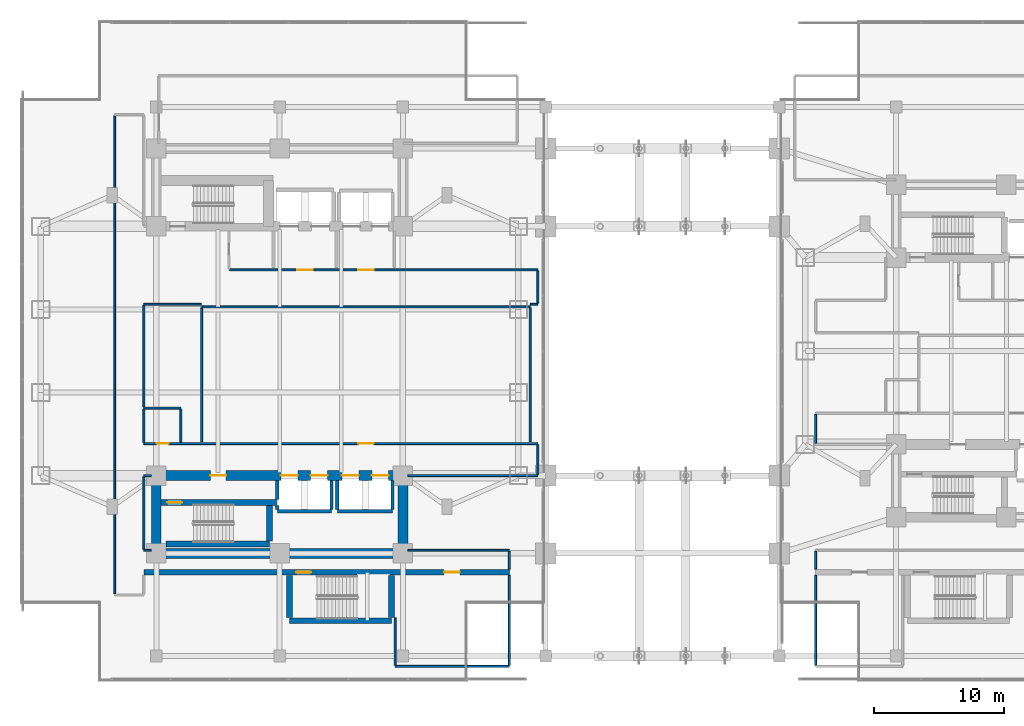
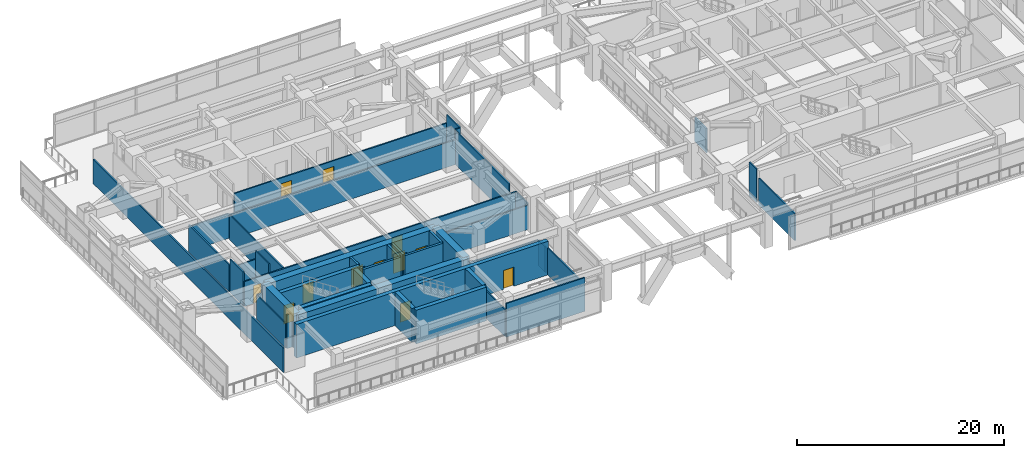
# One storey, part 15 of 30: 44 walls, 12 doors, 12 openings.
"""IFC4 building model written with IfcOpenShell, lengths in metres."""

from ifc_helpers import new_model, si_unit, direction, frame, frame_2d, origin, place, context, subcontext, project, spatial, rectangle, extrude, material, layer, layer_set, type_object, element, fill, save


model = new_model("IFC4")

# Units and contexts
model_context = context("Model", 3, precision=1e-05, world=origin(), true_north=direction((0.0, 1.0)))
body_context = subcontext(model_context, "Body", "Model", "MODEL_VIEW")
ifc_project = project(units=[si_unit("LENGTHUNIT", "METRE"), si_unit("AREAUNIT", "SQUARE_METRE"), si_unit("VOLUMEUNIT", "CUBIC_METRE"), si_unit("PLANEANGLEUNIT", "RADIAN"), si_unit("MASSUNIT", "GRAM", prefix="KILO")], contexts=[model_context])

# Site, building, storey
site_placement = place(None, origin())
site = spatial("IfcSite", under=ifc_project, at=site_placement, CompositionType="ELEMENT")
building_placement = place(site_placement, origin())
building = spatial("IfcBuilding", under=site, at=building_placement, Name="Mirazonda Arch Towers", CompositionType="ELEMENT")
storey_placement = place(building_placement, frame((0.0, 0.0, 9.5)))
storey = spatial("IfcBuildingStorey", under=building, at=storey_placement, Name="L02", CompositionType="ELEMENT", Elevation=9.5)

# Wall
ifc_material_1 = material(Name="Concrete C50/60", Category="concrete")
ifc_layer_1 = layer(ifc_material_1, 0.449951171875, Name="WALL-CORE-450")
ifc_layer_set_1 = layer_set([ifc_layer_1], Name="Concrete C50/60")
wall_type_1 = type_object("IfcWallType", Name="WALL-CORE-450", PredefinedType="SHEAR", material=ifc_layer_set_1)
wall_1_placement = place(storey_placement, frame((21.27001953125, 7.219970703125, 0.0), z_axis=(0.0, 0.0, 1.0), x_axis=(1.0, 0.0, 0.0)))
element("IfcWall", 1, at=wall_1_placement, inside=storey, type_object=wall_type_1, Name="L02 Stair Core Shear Wall 003", PredefinedType="SHEAR", context=body_context, shape_type="SweptSolid", body=[
    extrude(rectangle(XDim=7.85986328125, YDim=0.449951171875, at=frame_2d((3.929931640625, 0.0))), origin(), (0.0, 0.0, 1.0), 3.97998046875),
])

# Wall, openings, doors
wall_2_placement = place(storey_placement, frame((10.050048828125, 10.949951171875, 0.0), z_axis=(0.0, 0.0, 1.0), x_axis=(1.0, 0.0, 0.0)))
wall_2 = element("IfcWall", 2, at=wall_2_placement, inside=storey, type_object=wall_type_1, Name="L02 Stair Core Shear Wall 007", PredefinedType="SHEAR", context=body_context, shape_type="SweptSolid", body=[
    extrude(rectangle(XDim=28.14990234375, YDim=0.449951171875, at=frame_2d((14.074951171875, 0.0))), origin(), (0.0, 0.0, 1.0), 3.97998046875),
])
opening_1_placement = place(wall_2_placement, frame((11.719970703125, 0.0, 0.0)))
opening_1 = element("IfcOpeningElement", 3, at=opening_1_placement, cuts=wall_2, Name="Opening DR-135", PredefinedType="OPENING", context=body_context, shape_type="SweptSolid", body=[
    extrude(rectangle(XDim=1.14990234375, YDim=2.199951171875, at=frame_2d((0.574951171875, 1.10009765625))), frame((0.0, 0.23486328125, 0.0), z_axis=(0.0, -1.0, 0.0), x_axis=(1.0, 0.0, 0.0)), (0.0, 0.0, 1.0), 0.469970703125),
])
opening_2_placement = place(wall_2_placement, frame((23.1298828125, 0.0, 0.0)))
opening_2 = element("IfcOpeningElement", 4, at=opening_2_placement, cuts=wall_2, Name="Opening DR-117", PredefinedType="OPENING", context=body_context, shape_type="SweptSolid", body=[
    extrude(rectangle(XDim=1.199951171875, YDim=2.25, at=frame_2d((0.60009765625, 1.125))), frame((0.0, 0.23486328125, 0.0), z_axis=(0.0, -1.0, 0.0), x_axis=(1.0, 0.0, 0.0)), (0.0, 0.0, 1.0), 0.469970703125),
])
ifc_material_2 = material(Name="Architectural Brushed Steel S355", Category="steel")
door_type_1 = type_object("IfcDoorType", Name="DOOR-FFL-FD90-1200", OperationType="NOTDEFINED", PredefinedType="DOOR", material=ifc_material_2)
door_1_placement = place(opening_2_placement, origin())
door_1 = element("IfcDoor", 5, at=door_1_placement, inside=storey, type_object=door_type_1, Name="L02 L02 South Promenade Boutique Door", OperationType="SINGLE_SWING_RIGHT", OverallHeight=2.25, OverallWidth=1.199951171875, PredefinedType="DOOR", context=body_context, shape_type="SweptSolid", body=[
    extrude(rectangle(XDim=1.199951171875, YDim=2.25, at=frame_2d((0.60009765625, 1.125))), frame((0.0, 0.02490234375, 0.0), z_axis=(0.0, -1.0, 0.0), x_axis=(1.0, 0.0, 0.0)), (0.0, 0.0, 1.0), 0.050048828125),
])
fill(opening_2, door_1)
door_type_2 = type_object("IfcDoorType", Name="DOOR-STAIR-FD90-1150", OperationType="NOTDEFINED", PredefinedType="DOOR", material=ifc_material_2)
door_2_placement = place(opening_1_placement, origin())
door_2 = element("IfcDoor", 6, at=door_2_placement, inside=storey, type_object=door_type_2, Name="L02 Protected Podium Stair West Door", OperationType="SINGLE_SWING_LEFT", OverallHeight=2.199951171875, OverallWidth=1.14990234375, PredefinedType="DOOR", context=body_context, shape_type="SweptSolid", body=[
    extrude(rectangle(XDim=1.14990234375, YDim=2.199951171875, at=frame_2d((0.574951171875, 1.10009765625))), frame((0.0, 0.02490234375, 0.0), z_axis=(0.0, -1.0, 0.0), x_axis=(1.0, 0.0, 0.0)), (0.0, 0.0, 1.0), 0.050048828125),
])
fill(opening_1, door_2)

# Wall
wall_3_placement = place(storey_placement, frame((11.764892578125, 13.1201171875, 0.0), z_axis=(0.0, 0.0, 1.0), x_axis=(1.0, 0.0, 0.0)))
element("IfcWall", 7, at=wall_3_placement, inside=storey, type_object=wall_type_1, Name="L02 Stair Core Shear Wall 012", PredefinedType="SHEAR", context=body_context, shape_type="SweptSolid", body=[
    extrude(rectangle(XDim=7.965087890625, YDim=0.449951171875, at=frame_2d((3.982421875, 0.0))), origin(), (0.0, 0.0, 1.0), 3.97998046875),
])

# Wall, opening, door
wall_4_placement = place(storey_placement, frame((11.3701171875, 16.320068359375, 0.0), z_axis=(0.0, 0.0, 1.0), x_axis=(1.0, 0.0, 0.0)))
wall_4 = element("IfcWall", 8, at=wall_4_placement, inside=storey, type_object=wall_type_1, Name="L02 Stair Core Shear Wall 015", PredefinedType="SHEAR", context=body_context, shape_type="SweptSolid", body=[
    extrude(rectangle(XDim=8.909912109375, YDim=0.449951171875, at=frame_2d((4.455078125, 0.0))), origin(), (0.0, 0.0, 1.0), 3.97998046875),
])
opening_3_placement = place(wall_4_placement, frame((0.469970703125, 0.0, 0.0)))
opening_3 = element("IfcOpeningElement", 9, at=opening_3_placement, cuts=wall_4, Name="Opening DR-135", PredefinedType="OPENING", context=body_context, shape_type="SweptSolid", body=[
    extrude(rectangle(XDim=1.14990234375, YDim=2.199951171875, at=frame_2d((0.574951171875, 1.10009765625))), frame((0.0, 0.23486328125, 0.0), z_axis=(0.0, -1.0, 0.0), x_axis=(1.0, 0.0, 0.0)), (0.0, 0.0, 1.0), 0.469970703125),
])
door_3_placement = place(opening_3_placement, origin())
door_3 = element("IfcDoor", 10, at=door_3_placement, inside=storey, type_object=door_type_2, Name="L02 Protected Exit Stair South Door", OperationType="SINGLE_SWING_RIGHT", OverallHeight=2.199951171875, OverallWidth=1.14990234375, PredefinedType="DOOR", context=body_context, shape_type="SweptSolid", body=[
    extrude(rectangle(XDim=1.14990234375, YDim=2.199951171875, at=frame_2d((0.574951171875, 1.10009765625))), frame((0.0, 0.02490234375, 0.0), z_axis=(0.0, -1.0, 0.0), x_axis=(1.0, 0.0, 0.0)), (0.0, 0.0, 1.0), 0.050048828125),
])
fill(opening_3, door_3)

# Walls
wall_5_placement = place(storey_placement, frame((19.72998046875, 13.35498046875, 0.0), z_axis=(0.0, 0.0, 1.0), x_axis=(0.0, 1.0, 0.0)))
element("IfcWall", 11, at=wall_5_placement, inside=storey, type_object=wall_type_1, Name="L02 Stair Core Shear Wall 060", PredefinedType="SHEAR", context=body_context, shape_type="SweptSolid", body=[
    extrude(rectangle(XDim=2.72998046875, YDim=0.449951171875, at=frame_2d((1.364990234375, 0.0))), origin(), (0.0, 0.0, 1.0), 3.97998046875),
])
for number, where, z_axis, x_axis, name in (
    (12, (21.27001953125, 7.455078125, 0.0), (0.0, 0.0, 1.0), (0.0, 1.0, 0.0), "L02 Stair Core Shear Wall 064"),
    (13, (29.1298828125, 7.455078125, 0.0), (0.0, 0.0, 1.0), (0.0, 1.0, 0.0), "L02 Stair Core Shear Wall 070"),
):
    element("IfcWall", number, at=place(storey_placement, frame(where, z_axis=z_axis, x_axis=x_axis)), inside=storey, type_object=wall_type_1, Name=name, PredefinedType="SHEAR", context=body_context, shape_type="SweptSolid", body=[
        extrude(rectangle(XDim=3.260009765625, YDim=0.449951171875, at=frame_2d((1.6298828125, 0.0))), origin(), (0.0, 0.0, 1.0), 3.97998046875),
    ])
ifc_material_3 = material(Name="Concrete C60/75", Category="concrete")
ifc_layer_2 = layer(ifc_material_3, 0.75, Name="WALL-CORE-750")
ifc_layer_set_2 = layer_set([ifc_layer_2], Name="Concrete C60/75")
wall_type_2 = type_object("IfcWallType", Name="WALL-CORE-750", PredefinedType="SHEAR", material=ifc_layer_set_2)
wall_6_placement = place(storey_placement, frame((11.0, 12.39990234375, 0.0), z_axis=(0.0, 0.0, 1.0), x_axis=(1.0, 0.0, 0.0)))
element("IfcWall", 14, at=wall_6_placement, inside=storey, type_object=wall_type_2, Name="L02 T1S-S Core Shear Wall", PredefinedType="SHEAR", context=body_context, shape_type="SweptSolid", body=[
    extrude(rectangle(XDim=19.0, YDim=0.75, at=frame_2d((9.5, 0.0))), origin(), (0.0, 0.0, 1.0), 3.97998046875),
])
for number, where, z_axis, x_axis, name in (
    (15, (11.0, 12.39990234375, 0.0), (0.0, 0.0, 1.0), (0.0, 1.0, 0.0), "L02 T1S-W Core Shear Wall"),
    (16, (30.0, 12.39990234375, 0.0), (0.0, 0.0, 1.0), (0.0, 1.0, 0.0), "L02 T1S-E Core Shear Wall"),
):
    element("IfcWall", number, at=place(storey_placement, frame(where, z_axis=z_axis, x_axis=x_axis)), inside=storey, type_object=wall_type_2, Name=name, PredefinedType="SHEAR", context=body_context, shape_type="SweptSolid", body=[
        extrude(rectangle(XDim=6.0, YDim=0.75, at=frame_2d((3.0, 0.0))), origin(), (0.0, 0.0, 1.0), 3.97998046875),
    ])

# Wall, openings, doors
wall_7_placement = place(storey_placement, frame((11.0, 18.39990234375, 0.0), z_axis=(0.0, 0.0, 1.0), x_axis=(1.0, 0.0, 0.0)))
wall_7 = element("IfcWall", 17, at=wall_7_placement, inside=storey, type_object=wall_type_2, Name="L02 T1S-N Core Shear Wall", PredefinedType="SHEAR", context=body_context, shape_type="SweptSolid", body=[
    extrude(rectangle(XDim=19.0, YDim=0.75, at=frame_2d((9.5, 0.0))), origin(), (0.0, 0.0, 1.0), 3.97998046875),
])
opening_4_placement = place(wall_7_placement, frame((4.175048828125, 0.0, 0.0)))
opening_4 = element("IfcOpeningElement", 18, at=opening_4_placement, cuts=wall_7, Name="Opening DR-117", PredefinedType="OPENING", context=body_context, shape_type="SweptSolid", body=[
    extrude(rectangle(XDim=1.199951171875, YDim=2.25, at=frame_2d((0.60009765625, 1.125))), frame((0.0, 0.385009765625, 0.0), z_axis=(0.0, -1.0, 0.0), x_axis=(1.0, 0.0, 0.0)), (0.0, 0.0, 1.0), 0.77001953125),
])
opening_5_placement = place(wall_7_placement, frame((9.60009765625, 0.0, 0.0)))
opening_5 = element("IfcOpeningElement", 19, at=opening_5_placement, cuts=wall_7, Name="Opening LD-111", PredefinedType="OPENING", context=body_context, shape_type="SweptSolid", body=[
    extrude(rectangle(XDim=1.300048828125, YDim=2.300048828125, at=frame_2d((0.64990234375, 1.14990234375))), frame((0.0, 0.385009765625, 0.0), z_axis=(0.0, -1.0, 0.0), x_axis=(1.0, 0.0, 0.0)), (0.0, 0.0, 1.0), 0.77001953125),
])
opening_6_placement = place(wall_7_placement, frame((11.89990234375, 0.0, 0.0)))
opening_6 = element("IfcOpeningElement", 20, at=opening_6_placement, cuts=wall_7, Name="Opening LD-111", PredefinedType="OPENING", context=body_context, shape_type="SweptSolid", body=[
    extrude(rectangle(XDim=1.300048828125, YDim=2.300048828125, at=frame_2d((0.64990234375, 1.14990234375))), frame((0.0, 0.385009765625, 0.0), z_axis=(0.0, -1.0, 0.0), x_axis=(1.0, 0.0, 0.0)), (0.0, 0.0, 1.0), 0.77001953125),
])
opening_7_placement = place(wall_7_placement, frame((14.300048828125, 0.0, 0.0)))
opening_7 = element("IfcOpeningElement", 21, at=opening_7_placement, cuts=wall_7, Name="Opening LD-111", PredefinedType="OPENING", context=body_context, shape_type="SweptSolid", body=[
    extrude(rectangle(XDim=1.300048828125, YDim=2.300048828125, at=frame_2d((0.64990234375, 1.14990234375))), frame((0.0, 0.385009765625, 0.0), z_axis=(0.0, -1.0, 0.0), x_axis=(1.0, 0.0, 0.0)), (0.0, 0.0, 1.0), 0.77001953125),
])
opening_8_placement = place(wall_7_placement, frame((16.60009765625, 0.0, 0.0)))
opening_8 = element("IfcOpeningElement", 22, at=opening_8_placement, cuts=wall_7, Name="Opening LD-111", PredefinedType="OPENING", context=body_context, shape_type="SweptSolid", body=[
    extrude(rectangle(XDim=1.300048828125, YDim=2.300048828125, at=frame_2d((0.64990234375, 1.14990234375))), frame((0.0, 0.385009765625, 0.0), z_axis=(0.0, -1.0, 0.0), x_axis=(1.0, 0.0, 0.0)), (0.0, 0.0, 1.0), 0.77001953125),
])
door_4_placement = place(opening_4_placement, origin())
door_4 = element("IfcDoor", 23, at=door_4_placement, inside=storey, type_object=door_type_1, Name="L02 South Core Stair & Lift Lobby Door", OperationType="SINGLE_SWING_LEFT", OverallHeight=2.25, OverallWidth=1.199951171875, PredefinedType="DOOR", context=body_context, shape_type="SweptSolid", body=[
    extrude(rectangle(XDim=1.199951171875, YDim=2.25, at=frame_2d((0.60009765625, 1.125))), frame((0.0, 0.02490234375, 0.0), z_axis=(0.0, -1.0, 0.0), x_axis=(1.0, 0.0, 0.0)), (0.0, 0.0, 1.0), 0.050048828125),
])
fill(opening_4, door_4)
door_type_3 = type_object("IfcDoorType", Name="DOOR-LIFT-LAND-1300", OperationType="NOTDEFINED", PredefinedType="DOOR", material=ifc_material_2)
door_5_placement = place(opening_5_placement, origin())
door_5 = element("IfcDoor", 24, at=door_5_placement, inside=storey, type_object=door_type_3, Name="L02 Lift Landing Sliding Door PL-T1M1", OperationType="DOUBLE_DOOR_SLIDING", OverallHeight=2.300048828125, OverallWidth=1.300048828125, PredefinedType="DOOR", context=body_context, shape_type="SweptSolid", body=[
    extrude(rectangle(XDim=1.300048828125, YDim=2.300048828125, at=frame_2d((0.64990234375, 1.14990234375))), frame((0.0, 0.02490234375, 0.0), z_axis=(0.0, -1.0, 0.0), x_axis=(1.0, 0.0, 0.0)), (0.0, 0.0, 1.0), 0.050048828125),
])
fill(opening_5, door_5)
door_6_placement = place(opening_6_placement, origin())
door_6 = element("IfcDoor", 25, at=door_6_placement, inside=storey, type_object=door_type_3, Name="L02 Lift Landing Sliding Door PL-T1M2", OperationType="DOUBLE_DOOR_SLIDING", OverallHeight=2.300048828125, OverallWidth=1.300048828125, PredefinedType="DOOR", context=body_context, shape_type="SweptSolid", body=[
    extrude(rectangle(XDim=1.300048828125, YDim=2.300048828125, at=frame_2d((0.64990234375, 1.14990234375))), frame((0.0, 0.02490234375, 0.0), z_axis=(0.0, -1.0, 0.0), x_axis=(1.0, 0.0, 0.0)), (0.0, 0.0, 1.0), 0.050048828125),
])
fill(opening_6, door_6)
door_7_placement = place(opening_7_placement, origin())
door_7 = element("IfcDoor", 26, at=door_7_placement, inside=storey, type_object=door_type_3, Name="L02 Lift Landing Sliding Door PL-T1H1", OperationType="DOUBLE_DOOR_SLIDING", OverallHeight=2.300048828125, OverallWidth=1.300048828125, PredefinedType="DOOR", context=body_context, shape_type="SweptSolid", body=[
    extrude(rectangle(XDim=1.300048828125, YDim=2.300048828125, at=frame_2d((0.64990234375, 1.14990234375))), frame((0.0, 0.02490234375, 0.0), z_axis=(0.0, -1.0, 0.0), x_axis=(1.0, 0.0, 0.0)), (0.0, 0.0, 1.0), 0.050048828125),
])
fill(opening_7, door_7)
door_8_placement = place(opening_8_placement, origin())
door_8 = element("IfcDoor", 27, at=door_8_placement, inside=storey, type_object=door_type_3, Name="L02 Lift Landing Sliding Door PL-T1H2", OperationType="DOUBLE_DOOR_SLIDING", OverallHeight=2.300048828125, OverallWidth=1.300048828125, PredefinedType="DOOR", context=body_context, shape_type="SweptSolid", body=[
    extrude(rectangle(XDim=1.300048828125, YDim=2.300048828125, at=frame_2d((0.64990234375, 1.14990234375))), frame((0.0, 0.02490234375, 0.0), z_axis=(0.0, -1.0, 0.0), x_axis=(1.0, 0.0, 0.0)), (0.0, 0.0, 1.0), 0.050048828125),
])
fill(opening_8, door_8)

# Walls
ifc_material_4 = material(Name="Fire-Rated Gypsum Stud Partition")
ifc_layer_3 = layer(ifc_material_4, 0.14990234375, Name="WALL-PART-CORR-150")
ifc_layer_set_3 = layer_set([ifc_layer_3], Name="Fire-Rated Gypsum Stud Partition")
wall_type_3 = type_object("IfcWallType", Name="WALL-PART-CORR-150", PredefinedType="PARTITIONING", material=ifc_layer_set_3)
wall_8_placement = place(storey_placement, frame((29.39990234375, 3.699951171875, 0.0), z_axis=(0.0, 0.0, 1.0), x_axis=(1.0, 0.0, 0.0)))
element("IfcWall", 28, at=wall_8_placement, inside=storey, type_object=wall_type_3, Name="L02 Interior Partition 001", PredefinedType="PARTITIONING", context=body_context, shape_type="SweptSolid", body=[
    extrude(rectangle(XDim=8.800048828125, YDim=0.14990234375, at=frame_2d((4.39990234375, 0.0))), origin(), (0.0, 0.0, 1.0), 3.97998046875),
])
wall_9_placement = place(storey_placement, frame((10.050048828125, 12.64990234375, 0.0), z_axis=(0.0, 0.0, 1.0), x_axis=(1.0, 0.0, 0.0)))
element("IfcWall", 29, at=wall_9_placement, inside=storey, type_object=wall_type_3, Name="L02 Interior Partition 009", PredefinedType="PARTITIONING", context=body_context, shape_type="SweptSolid", body=[
    extrude(rectangle(XDim=0.579833984375, YDim=0.14990234375, at=frame_2d((0.2900390625, 0.0))), origin(), (0.0, 0.0, 1.0), 3.97998046875),
])
wall_10_placement = place(storey_placement, frame((30.3701171875, 12.64990234375, 0.0), z_axis=(0.0, 0.0, 1.0), x_axis=(1.0, 0.0, 0.0)))
element("IfcWall", 30, at=wall_10_placement, inside=storey, type_object=wall_type_3, Name="L02 Interior Partition 010", PredefinedType="PARTITIONING", context=body_context, shape_type="SweptSolid", body=[
    extrude(rectangle(XDim=7.829833984375, YDim=0.14990234375, at=frame_2d((3.9150390625, 0.0))), origin(), (0.0, 0.0, 1.0), 3.02392578125),
])
wall_11_placement = place(storey_placement, frame((10.050048828125, 18.39990234375, 0.0), z_axis=(0.0, 0.0, 1.0), x_axis=(1.0, 0.0, 0.0)))
element("IfcWall", 31, at=wall_11_placement, inside=storey, type_object=wall_type_3, Name="L02 Interior Partition 017", PredefinedType="PARTITIONING", context=body_context, shape_type="SweptSolid", body=[
    extrude(rectangle(XDim=0.579833984375, YDim=0.14990234375, at=frame_2d((0.2900390625, 0.0))), origin(), (0.0, 0.0, 1.0), 2.8720703125),
])
wall_12_placement = place(storey_placement, frame((30.3701171875, 18.39990234375, 0.0), z_axis=(0.0, 0.0, 1.0), x_axis=(1.0, 0.0, 0.0)))
element("IfcWall", 32, at=wall_12_placement, inside=storey, type_object=wall_type_3, Name="L02 Interior Partition 018", PredefinedType="PARTITIONING", context=body_context, shape_type="SweptSolid", body=[
    extrude(rectangle(XDim=10.02978515625, YDim=0.14990234375, at=frame_2d((5.014892578125, 0.0))), origin(), (0.0, 0.0, 1.0), 2.8720703125),
])

# Wall, openings, doors
wall_13_placement = place(storey_placement, frame((10.050048828125, 20.86669921875, 0.0), z_axis=(0.0, 0.0, 1.0), x_axis=(1.0, 0.0, 0.0)))
wall_13 = element("IfcWall", 33, at=wall_13_placement, inside=storey, type_object=wall_type_3, Name="L02 Interior Partition 020", PredefinedType="PARTITIONING", context=body_context, shape_type="SweptSolid", body=[
    extrude(rectangle(XDim=30.349853515625, YDim=0.14990234375, at=frame_2d((15.1748046875, 0.0))), origin(), (0.0, 0.0, 1.0), 2.931884765625),
])
opening_9_placement = place(wall_13_placement, frame((0.9951171875, 0.0, 0.0)))
opening_9 = element("IfcOpeningElement", 34, at=opening_9_placement, cuts=wall_13, Name="Opening DR-120", PredefinedType="OPENING", context=body_context, shape_type="SweptSolid", body=[
    extrude(rectangle(XDim=0.89990234375, YDim=2.10009765625, at=frame_2d((0.449951171875, 1.050048828125))), frame((0.0, 0.0849609375, 0.0), z_axis=(0.0, -1.0, 0.0), x_axis=(1.0, 0.0, 0.0)), (0.0, 0.0, 1.0), 0.169921875),
])
opening_10_placement = place(wall_13_placement, frame((16.5, 0.0, 0.0)))
opening_10 = element("IfcOpeningElement", 35, at=opening_10_placement, cuts=wall_13, Name="Opening DR-117", PredefinedType="OPENING", context=body_context, shape_type="SweptSolid", body=[
    extrude(rectangle(XDim=1.199951171875, YDim=2.25, at=frame_2d((0.60009765625, 1.125))), frame((0.0, 0.0849609375, 0.0), z_axis=(0.0, -1.0, 0.0), x_axis=(1.0, 0.0, 0.0)), (0.0, 0.0, 1.0), 0.169921875),
])
door_9_placement = place(opening_10_placement, origin())
door_9 = element("IfcDoor", 36, at=door_9_placement, inside=storey, type_object=door_type_1, Name="L02 L02 West Grand Ballroom & Banquet Hall Door", OperationType="SINGLE_SWING_LEFT", OverallHeight=2.25, OverallWidth=1.199951171875, PredefinedType="DOOR", context=body_context, shape_type="SweptSolid", body=[
    extrude(rectangle(XDim=1.199951171875, YDim=2.25, at=frame_2d((0.60009765625, 1.125))), frame((0.0, 0.02490234375, 0.0), z_axis=(0.0, -1.0, 0.0), x_axis=(1.0, 0.0, 0.0)), (0.0, 0.0, 1.0), 0.050048828125),
])
fill(opening_10, door_9)
door_type_4 = type_object("IfcDoorType", Name="DOOR-WC-900", OperationType="NOTDEFINED", PredefinedType="DOOR", material=ifc_material_2)
door_10_placement = place(opening_9_placement, origin())
door_10 = element("IfcDoor", 37, at=door_10_placement, inside=storey, type_object=door_type_4, Name="L02 Common Podium Accessible WC Door", OperationType="SINGLE_SWING_LEFT", OverallHeight=2.10009765625, OverallWidth=0.89990234375, PredefinedType="DOOR", context=body_context, shape_type="SweptSolid", body=[
    extrude(rectangle(XDim=0.89990234375, YDim=2.10009765625, at=frame_2d((0.449951171875, 1.050048828125))), frame((0.0, 0.02490234375, 0.0), z_axis=(0.0, -1.0, 0.0), x_axis=(1.0, 0.0, 0.0)), (0.0, 0.0, 1.0), 0.050048828125),
])
fill(opening_9, door_10)

# Walls
wall_14_placement = place(storey_placement, frame((10.050048828125, 23.60009765625, 0.0), z_axis=(0.0, 0.0, 1.0), x_axis=(1.0, 0.0, 0.0)))
element("IfcWall", 38, at=wall_14_placement, inside=storey, type_object=wall_type_3, Name="L02 Interior Partition 024", PredefinedType="PARTITIONING", context=body_context, shape_type="SweptSolid", body=[
    extrude(rectangle(XDim=2.849853515625, YDim=0.14990234375, at=frame_2d((1.4248046875, 0.0))), origin(), (0.0, 0.0, 1.0), 2.931884765625),
])
wall_15_placement = place(storey_placement, frame((14.5, 31.39990234375, 0.0), z_axis=(0.0, 0.0, 1.0), x_axis=(1.0, 0.0, 0.0)))
element("IfcWall", 39, at=wall_15_placement, inside=storey, type_object=wall_type_3, Name="L02 Interior Partition 030", PredefinedType="PARTITIONING", context=body_context, shape_type="SweptSolid", body=[
    extrude(rectangle(XDim=25.300048828125, YDim=0.14990234375, at=frame_2d((12.64990234375, 0.0))), origin(), (0.0, 0.0, 1.0), 2.931884765625),
])
wall_16_placement = place(storey_placement, frame((10.050048828125, 31.60009765625, 0.0), z_axis=(0.0, 0.0, 1.0), x_axis=(1.0, 0.0, 0.0)))
element("IfcWall", 40, at=wall_16_placement, inside=storey, type_object=wall_type_3, Name="L02 Interior Partition 031", PredefinedType="PARTITIONING", context=body_context, shape_type="SweptSolid", body=[
    extrude(rectangle(XDim=4.429931640625, YDim=0.14990234375, at=frame_2d((2.21484375, 0.0))), origin(), (0.0, 0.0, 1.0), 2.931884765625),
])
wall_17_placement = place(storey_placement, frame((39.820068359375, 31.60009765625, 0.0), z_axis=(0.0, 0.0, 1.0), x_axis=(1.0, 0.0, 0.0)))
element("IfcWall", 41, at=wall_17_placement, inside=storey, type_object=wall_type_3, Name="L02 Interior Partition 032", PredefinedType="PARTITIONING", context=body_context, shape_type="SweptSolid", body=[
    extrude(rectangle(XDim=0.579833984375, YDim=0.14990234375, at=frame_2d((0.2900390625, 0.0))), origin(), (0.0, 0.0, 1.0), 3.97998046875),
])

# Wall, openings, doors
wall_18_placement = place(storey_placement, frame((16.64990234375, 34.25, 0.0), z_axis=(0.0, 0.0, 1.0), x_axis=(1.0, 0.0, 0.0)))
wall_18 = element("IfcWall", 42, at=wall_18_placement, inside=storey, type_object=wall_type_3, Name="L02 Interior Partition 035", PredefinedType="PARTITIONING", context=body_context, shape_type="SweptSolid", body=[
    extrude(rectangle(XDim=23.75, YDim=0.14990234375, at=frame_2d((11.875, 0.0))), origin(), (0.0, 0.0, 1.0), 2.931884765625),
])
opening_11_placement = place(wall_18_placement, frame((5.199951171875, 0.0, 0.0)))
opening_11 = element("IfcOpeningElement", 43, at=opening_11_placement, cuts=wall_18, Name="Opening DR-117", PredefinedType="OPENING", context=body_context, shape_type="SweptSolid", body=[
    extrude(rectangle(XDim=1.199951171875, YDim=2.25, at=frame_2d((0.60009765625, 1.125))), frame((0.0, 0.0849609375, 0.0), z_axis=(0.0, -1.0, 0.0), x_axis=(1.0, 0.0, 0.0)), (0.0, 0.0, 1.0), 0.169921875),
])
opening_12_placement = place(wall_18_placement, frame((9.89990234375, 0.0, 0.0)))
opening_12 = element("IfcOpeningElement", 44, at=opening_12_placement, cuts=wall_18, Name="Opening DR-117", PredefinedType="OPENING", context=body_context, shape_type="SweptSolid", body=[
    extrude(rectangle(XDim=1.199951171875, YDim=2.25, at=frame_2d((0.60009765625, 1.125))), frame((0.0, 0.0849609375, 0.0), z_axis=(0.0, -1.0, 0.0), x_axis=(1.0, 0.0, 0.0)), (0.0, 0.0, 1.0), 0.169921875),
])
door_11_placement = place(opening_11_placement, origin())
door_11 = element("IfcDoor", 45, at=door_11_placement, inside=storey, type_object=door_type_1, Name="L02 Firefighting Lift Lobby Door", OperationType="SINGLE_SWING_RIGHT", OverallHeight=2.25, OverallWidth=1.199951171875, PredefinedType="DOOR", context=body_context, shape_type="SweptSolid", body=[
    extrude(rectangle(XDim=1.199951171875, YDim=2.25, at=frame_2d((0.60009765625, 1.125))), frame((0.0, 0.02490234375, 0.0), z_axis=(0.0, -1.0, 0.0), x_axis=(1.0, 0.0, 0.0)), (0.0, 0.0, 1.0), 0.050048828125),
])
fill(opening_11, door_11)
door_12_placement = place(opening_12_placement, origin())
door_12 = element("IfcDoor", 46, at=door_12_placement, inside=storey, type_object=door_type_1, Name="L02 Passenger Lift Lobby North Door", OperationType="SINGLE_SWING_LEFT", OverallHeight=2.25, OverallWidth=1.199951171875, PredefinedType="DOOR", context=body_context, shape_type="SweptSolid", body=[
    extrude(rectangle(XDim=1.199951171875, YDim=2.25, at=frame_2d((0.60009765625, 1.125))), frame((0.0, 0.02490234375, 0.0), z_axis=(0.0, -1.0, 0.0), x_axis=(1.0, 0.0, 0.0)), (0.0, 0.0, 1.0), 0.050048828125),
])
fill(opening_12, door_12)

# Walls
wall_19_placement = place(storey_placement, frame((7.800048828125, 9.284912109375, 0.0), z_axis=(0.0, 0.0, 1.0), x_axis=(0.0, 1.0, 0.0)))
element("IfcWall", 47, at=wall_19_placement, inside=storey, type_object=wall_type_3, Name="L02 Interior Partition 050", PredefinedType="PARTITIONING", context=body_context, shape_type="SweptSolid", body=[
    extrude(rectangle(XDim=36.830078125, YDim=0.14990234375, at=frame_2d((18.4150390625, 0.0))), origin(), (0.0, 0.0, 1.0), 2.8720703125),
])
wall_20_placement = place(storey_placement, frame((10.050048828125, 12.735107421875, 0.0), z_axis=(0.0, 0.0, 1.0), x_axis=(0.0, 1.0, 0.0)))
element("IfcWall", 48, at=wall_20_placement, inside=storey, type_object=wall_type_3, Name="L02 Interior Partition 052", PredefinedType="PARTITIONING", context=body_context, shape_type="SweptSolid", body=[
    extrude(rectangle(XDim=5.579833984375, YDim=0.14990234375, at=frame_2d((2.7900390625, 0.0))), origin(), (0.0, 0.0, 1.0), 2.8720703125),
])
wall_21_placement = place(storey_placement, frame((10.050048828125, 20.95166015625, 0.0), z_axis=(0.0, 0.0, 1.0), x_axis=(0.0, 1.0, 0.0)))
element("IfcWall", 49, at=wall_21_placement, inside=storey, type_object=wall_type_3, Name="L02 Interior Partition 053", PredefinedType="PARTITIONING", context=body_context, shape_type="SweptSolid", body=[
    extrude(rectangle(XDim=2.563232421875, YDim=0.14990234375, at=frame_2d((1.28173828125, 0.0))), origin(), (0.0, 0.0, 1.0), 3.97998046875),
])
wall_22_placement = place(storey_placement, frame((10.050048828125, 23.68505859375, 0.0), z_axis=(0.0, 0.0, 1.0), x_axis=(0.0, 1.0, 0.0)))
element("IfcWall", 50, at=wall_22_placement, inside=storey, type_object=wall_type_3, Name="L02 Interior Partition 054", PredefinedType="PARTITIONING", context=body_context, shape_type="SweptSolid", body=[
    extrude(rectangle(XDim=7.829833984375, YDim=0.14990234375, at=frame_2d((3.9150390625, 0.0))), origin(), (0.0, 0.0, 1.0), 3.198974609375),
])
wall_23_placement = place(storey_placement, frame((12.89990234375, 20.95166015625, 0.0), z_axis=(0.0, 0.0, 1.0), x_axis=(0.0, 1.0, 0.0)))
element("IfcWall", 51, at=wall_23_placement, inside=storey, type_object=wall_type_3, Name="L02 Interior Partition 057", PredefinedType="PARTITIONING", context=body_context, shape_type="SweptSolid", body=[
    extrude(rectangle(XDim=2.563232421875, YDim=0.14990234375, at=frame_2d((1.28173828125, 0.0))), origin(), (0.0, 0.0, 1.0), 3.97998046875),
])
wall_24_placement = place(storey_placement, frame((14.5, 21.0, 0.0), z_axis=(0.0, 0.0, 1.0), x_axis=(0.0, 1.0, 0.0)))
element("IfcWall", 52, at=wall_24_placement, inside=storey, type_object=wall_type_3, Name="L02 Interior Partition 058", PredefinedType="PARTITIONING", context=body_context, shape_type="SweptSolid", body=[
    extrude(rectangle(XDim=10.31494140625, YDim=0.14990234375, at=frame_2d((5.157470703125, 0.0))), origin(), (0.0, 0.0, 1.0), 2.931884765625),
])
wall_25_placement = place(storey_placement, frame((29.39990234375, 3.784912109375, 0.0), z_axis=(0.0, 0.0, 1.0), x_axis=(0.0, 1.0, 0.0)))
element("IfcWall", 53, at=wall_25_placement, inside=storey, type_object=wall_type_3, Name="L02 Interior Partition 074", PredefinedType="PARTITIONING", context=body_context, shape_type="SweptSolid", body=[
    extrude(rectangle(XDim=3.650146484375, YDim=0.14990234375, at=frame_2d((1.8251953125, 0.0))), origin(), (0.0, 0.0, 1.0), 3.198974609375),
])
wall_26_placement = place(storey_placement, frame((38.199951171875, 3.784912109375, 0.0), z_axis=(0.0, 0.0, 1.0), x_axis=(0.0, 1.0, 0.0)))
element("IfcWall", 54, at=wall_26_placement, inside=storey, type_object=wall_type_3, Name="L02 Interior Partition 075", PredefinedType="PARTITIONING", context=body_context, shape_type="SweptSolid", body=[
    extrude(rectangle(XDim=6.93017578125, YDim=0.14990234375, at=frame_2d((3.465087890625, 0.0))), origin(), (0.0, 0.0, 1.0), 3.198974609375),
])
wall_27_placement = place(storey_placement, frame((38.199951171875, 11.18505859375, 0.0), z_axis=(0.0, 0.0, 1.0), x_axis=(0.0, 1.0, 0.0)))
element("IfcWall", 55, at=wall_27_placement, inside=storey, type_object=wall_type_3, Name="L02 Interior Partition 076", PredefinedType="PARTITIONING", context=body_context, shape_type="SweptSolid", body=[
    extrude(rectangle(XDim=1.3798828125, YDim=0.14990234375, at=frame_2d((0.68994140625, 0.0))), origin(), (0.0, 0.0, 1.0), 3.02392578125),
])
wall_28_placement = place(storey_placement, frame((39.800048828125, 21.0, 0.0), z_axis=(0.0, 0.0, 1.0), x_axis=(0.0, 1.0, 0.0)))
element("IfcWall", 56, at=wall_28_placement, inside=storey, type_object=wall_type_3, Name="L02 Interior Partition 078", PredefinedType="PARTITIONING", context=body_context, shape_type="SweptSolid", body=[
    extrude(rectangle(XDim=10.31494140625, YDim=0.14990234375, at=frame_2d((5.157470703125, 0.0))), origin(), (0.0, 0.0, 1.0), 3.97998046875),
])
wall_29_placement = place(storey_placement, frame((40.39990234375, 18.485107421875, 0.0), z_axis=(0.0, 0.0, 1.0), x_axis=(0.0, 1.0, 0.0)))
element("IfcWall", 57, at=wall_29_placement, inside=storey, type_object=wall_type_3, Name="L02 Interior Partition 079", PredefinedType="PARTITIONING", context=body_context, shape_type="SweptSolid", body=[
    extrude(rectangle(XDim=2.296630859375, YDim=0.14990234375, at=frame_2d((1.1484375, 0.0))), origin(), (0.0, 0.0, 1.0), 3.02392578125),
])
wall_30_placement = place(storey_placement, frame((40.39990234375, 31.68505859375, 0.0), z_axis=(0.0, 0.0, 1.0), x_axis=(0.0, 1.0, 0.0)))
element("IfcWall", 58, at=wall_30_placement, inside=storey, type_object=wall_type_3, Name="L02 Interior Partition 080", PredefinedType="PARTITIONING", context=body_context, shape_type="SweptSolid", body=[
    extrude(rectangle(XDim=2.47998046875, YDim=0.14990234375, at=frame_2d((1.239990234375, 0.0))), origin(), (0.0, 0.0, 1.0), 3.97998046875),
])
wall_31_placement = place(storey_placement, frame((61.800048828125, 3.784912109375, 0.0), z_axis=(0.0, 0.0, 1.0), x_axis=(0.0, 1.0, 0.0)))
element("IfcWall", 59, at=wall_31_placement, inside=storey, type_object=wall_type_3, Name="L02 Interior Partition 082", PredefinedType="PARTITIONING", context=body_context, shape_type="SweptSolid", body=[
    extrude(rectangle(XDim=6.93017578125, YDim=0.14990234375, at=frame_2d((3.465087890625, 0.0))), origin(), (0.0, 0.0, 1.0), 3.198974609375),
])
wall_32_placement = place(storey_placement, frame((61.800048828125, 11.18505859375, 0.0), z_axis=(0.0, 0.0, 1.0), x_axis=(0.0, 1.0, 0.0)))
element("IfcWall", 60, at=wall_32_placement, inside=storey, type_object=wall_type_3, Name="L02 Interior Partition 083", PredefinedType="PARTITIONING", context=body_context, shape_type="SweptSolid", body=[
    extrude(rectangle(XDim=1.3798828125, YDim=0.14990234375, at=frame_2d((0.68994140625, 0.0))), origin(), (0.0, 0.0, 1.0), 3.97998046875),
])
wall_33_placement = place(storey_placement, frame((61.800048828125, 20.885009765625, 0.0), z_axis=(0.0, 0.0, 1.0), x_axis=(0.0, 1.0, 0.0)))
element("IfcWall", 61, at=wall_33_placement, inside=storey, type_object=wall_type_3, Name="L02 Interior Partition 084", PredefinedType="PARTITIONING", context=body_context, shape_type="SweptSolid", body=[
    extrude(rectangle(XDim=2.22998046875, YDim=0.14990234375, at=frame_2d((1.114990234375, 0.0))), origin(), (0.0, 0.0, 1.0), 2.8720703125),
])
ifc_material_5 = material(Name="Concrete C40/50", Category="concrete")
ifc_layer_4 = layer(ifc_material_5, 0.25, Name="WALL-SHAFT-250")
ifc_layer_set_4 = layer_set([ifc_layer_4], Name="Concrete C40/50")
wall_type_4 = type_object("IfcWallType", Name="WALL-SHAFT-250", PredefinedType="SOLIDWALL", material=ifc_layer_set_4)
wall_34_placement = place(storey_placement, frame((20.35009765625, 15.64990234375, 0.0), z_axis=(0.0, 0.0, 1.0), x_axis=(1.0, 0.0, 0.0)))
element("IfcWall", 62, at=wall_34_placement, inside=storey, type_object=wall_type_4, Name="L02 Interior Partition 013", PredefinedType="SOLIDWALL", context=body_context, shape_type="SweptSolid", body=[
    extrude(rectangle(XDim=4.14990234375, YDim=0.25, at=frame_2d((2.074951171875, 0.0))), origin(), (0.0, 0.0, 1.0), 3.97998046875),
])
wall_35_placement = place(storey_placement, frame((24.949951171875, 15.64990234375, 0.0), z_axis=(0.0, 0.0, 1.0), x_axis=(1.0, 0.0, 0.0)))
element("IfcWall", 63, at=wall_35_placement, inside=storey, type_object=wall_type_4, Name="L02 Interior Partition 014", PredefinedType="SOLIDWALL", context=body_context, shape_type="SweptSolid", body=[
    extrude(rectangle(XDim=4.25, YDim=0.25, at=frame_2d((2.125, 0.0))), origin(), (0.0, 0.0, 1.0), 3.97998046875),
])
wall_36_placement = place(storey_placement, frame((20.31494140625, 15.784912109375, 0.0), z_axis=(0.0, 0.0, 1.0), x_axis=(0.0, 1.0, 0.0)))
element("IfcWall", 64, at=wall_36_placement, inside=storey, type_object=wall_type_4, Name="L02 Interior Partition 062", PredefinedType="SOLIDWALL", context=body_context, shape_type="SweptSolid", body=[
    extrude(rectangle(XDim=0.300048828125, YDim=0.25, at=frame_2d((0.14990234375, 0.0))), origin(), (0.0, 0.0, 1.0), 3.97998046875),
])
wall_37_placement = place(storey_placement, frame((20.31494140625, 16.554931640625, 0.0), z_axis=(0.0, 0.0, 1.0), x_axis=(0.0, 1.0, 0.0)))
element("IfcWall", 65, at=wall_37_placement, inside=storey, type_object=wall_type_4, Name="L02 Interior Partition 063", PredefinedType="SOLIDWALL", context=body_context, shape_type="SweptSolid", body=[
    extrude(rectangle(XDim=1.47509765625, YDim=0.25, at=frame_2d((0.737548828125, 0.0))), origin(), (0.0, 0.0, 1.0), 3.97998046875),
])
for number, where, z_axis, x_axis, name in (
    (66, (24.5, 15.784912109375, 0.0), (0.0, 0.0, 1.0), (0.0, 1.0, 0.0), "L02 Interior Partition 065"),
    (67, (24.949951171875, 15.784912109375, 0.0), (0.0, 0.0, 1.0), (0.0, 1.0, 0.0), "L02 Interior Partition 067"),
    (68, (29.199951171875, 15.784912109375, 0.0), (0.0, 0.0, 1.0), (0.0, 1.0, 0.0), "L02 Interior Partition 071"),
):
    element("IfcWall", number, at=place(storey_placement, frame(where, z_axis=z_axis, x_axis=x_axis)), inside=storey, type_object=wall_type_4, Name=name, PredefinedType="SOLIDWALL", context=body_context, shape_type="SweptSolid", body=[
        extrude(rectangle(XDim=2.2451171875, YDim=0.25, at=frame_2d((1.12255859375, 0.0))), origin(), (0.0, 0.0, 1.0), 3.97998046875),
    ])

save(model, "model.ifc")
